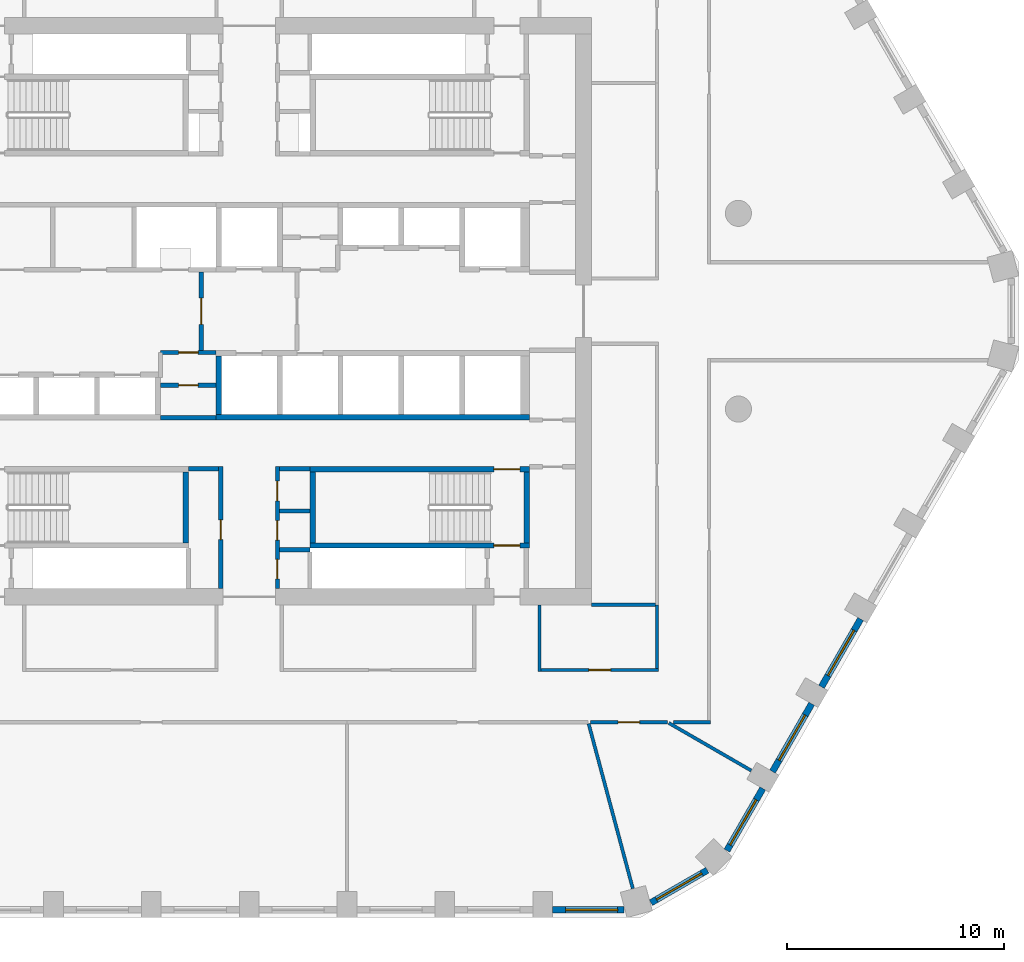
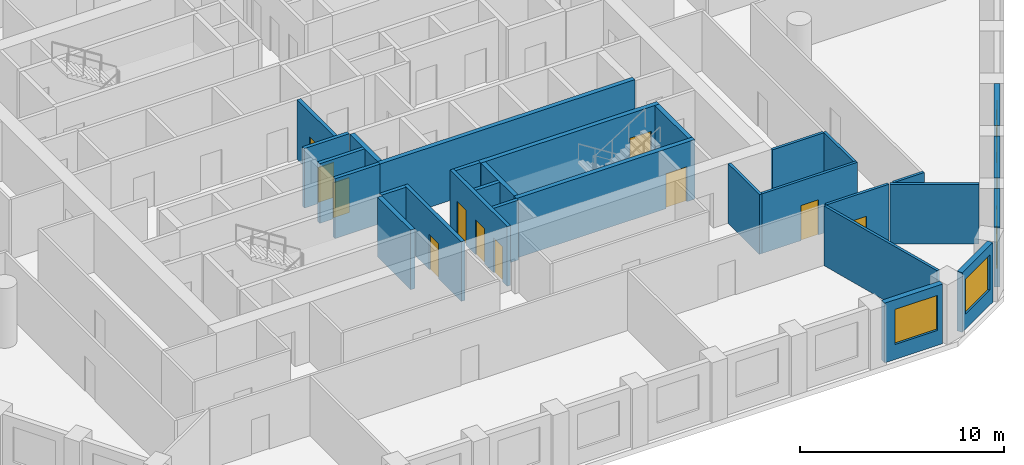
# One storey, part 4 of 10: 30 walls, 11 doors, 5 windows, 16 openings.
"""IFC4 building model written with IfcOpenShell, lengths in metres."""

import ifcopenshell
import ifcopenshell.guid

model = None  # the IFC model being written
_history = None  # IfcOwnerHistory: only IFC2X3 demands one
_inside = {}  # id of a spatial element -> (the spatial element, [elements in it])
_under = {}  # id of a project, library or spatial element -> (it, [spatial elements below it])
_declared = {}  # id of a project -> (the project, [libraries it declares])
_typed = {}  # id of a type object -> (the type object, [elements of that type])
_made_of = {}  # id of a material, layer set ... -> (it, [elements and type objects made of it])


def new_model(schema):
    """Start an empty IFC model of exactly this schema.

    Asked for "IFC4X3", IfcOpenShell would pick the latest addendum, in which some entities
    have other attributes; the version numbers below select the first issue.
    IFC2X3 requires an IfcOwnerHistory on every rooted entity: one is made here for all.
    """
    global model, _history
    if schema == "IFC4X3":
        model = ifcopenshell.file(schema_version=(4, 3, 0, 0))
    else:
        model = ifcopenshell.file(schema=schema)
    _inside.clear()
    _under.clear()
    _declared.clear()
    _typed.clear()
    _made_of.clear()
    _history = None
    if model.schema == "IFC2X3":
        org = make("IfcOrganization", Name="unknown")
        user = make(
            "IfcPersonAndOrganization",
            ThePerson=make("IfcPerson", FamilyName="unknown"),
            TheOrganization=org,
        )
        app = make(
            "IfcApplication",
            ApplicationDeveloper=org,
            Version="unknown",
            ApplicationFullName="unknown",
            ApplicationIdentifier="unknown",
        )
        _history = make(
            "IfcOwnerHistory",
            OwningUser=user,
            OwningApplication=app,
            ChangeAction="ADDED",
            CreationDate=0,
        )
    return model


def make(cls, **values):
    """One entity of the class cls with the attributes given. An attribute that is None is left unset."""
    return model.create_entity(
        cls, **{name: value for name, value in values.items() if value is not None}
    )


def rooted(cls, **values):
    """An entity with a GlobalId (a new one), such as an element, a storey or a relation."""
    return make(cls, GlobalId=ifcopenshell.guid.new(), OwnerHistory=_history, **values)


def si_unit(unit_type, name, prefix=None):
    """IfcSIUnit, for example si_unit("LENGTHUNIT", "METRE", prefix="MILLI")."""
    return make("IfcSIUnit", UnitType=unit_type, Prefix=prefix, Name=name)


def assignment(units):
    """IfcUnitAssignment: the units of a project."""
    return None if units is None else make("IfcUnitAssignment", Units=units)


def point(xyz):
    """IfcCartesianPoint."""
    return None if xyz is None else make("IfcCartesianPoint", Coordinates=xyz)


def direction(xyz):
    """IfcDirection."""
    return None if xyz is None else make("IfcDirection", DirectionRatios=xyz)


def frame(location, z_axis=None, x_axis=None):
    """IfcAxis2Placement3D, a coordinate frame: its origin and axes. An axis left out is left unset."""
    return make(
        "IfcAxis2Placement3D",
        Location=point(location),
        Axis=direction(z_axis),
        RefDirection=direction(x_axis),
    )


def frame_2d(location, x_axis=None):
    """IfcAxis2Placement2D, a coordinate frame in the plane: its origin and x axis."""
    return make(
        "IfcAxis2Placement2D", Location=point(location), RefDirection=direction(x_axis)
    )


def origin():
    """The frame at (0, 0, 0) with its axes left unset."""
    return frame((0.0, 0.0, 0.0))


def place(relative_to, where):
    """IfcLocalPlacement: puts the frame where relative to a parent placement (None: the world)."""
    return make(
        "IfcLocalPlacement", PlacementRelTo=relative_to, RelativePlacement=where
    )


def context(
    kind, dimensions, precision=None, world=None, true_north=None, identifier=None
):
    """IfcGeometricRepresentationContext, for example the 3D "Model" context."""
    return make(
        "IfcGeometricRepresentationContext",
        ContextIdentifier=identifier,
        ContextType=kind,
        CoordinateSpaceDimension=dimensions,
        Precision=precision,
        WorldCoordinateSystem=world,
        TrueNorth=true_north,
    )


def subcontext(parent, identifier, kind, view, scale=None):
    """IfcGeometricRepresentationSubContext, for example "Body" below "Model"."""
    return make(
        "IfcGeometricRepresentationSubContext",
        ContextIdentifier=identifier,
        ContextType=kind,
        ParentContext=parent,
        TargetScale=scale,
        TargetView=view,
    )


def project(units=None, contexts=None):
    """IfcProject with its units and contexts."""
    return rooted(
        "IfcProject",
        Name="project",
        RepresentationContexts=contexts,
        UnitsInContext=assignment(units),
    )


def spatial(cls, under=None, at=None, **own):
    """A site, building, storey or space (cls), placed at a placement, below another one or the project."""
    s = rooted(cls, ObjectPlacement=at, **own)
    if under is not None:
        _under.setdefault(under.id(), (under, []))[1].append(s)
    return s


def polyline(points):
    """IfcPolyline through the points."""
    return make("IfcPolyline", Points=[point(p) for p in points])


def profile(cls, at=None, kind="AREA", **sizes):
    """A parametric profile (cls). Its sizes go by their IFC names, for example OverallWidth=200.0."""
    return make(cls, ProfileType=kind, Position=at, **sizes)


def rectangle(**sizes):
    """IfcRectangleProfileDef."""
    return profile("IfcRectangleProfileDef", **sizes)


def outline(outer, holes=None, kind="AREA"):
    """IfcArbitraryClosedProfileDef: a profile drawn as a closed curve; with holes, ...WithVoids."""
    if holes is None:
        return make("IfcArbitraryClosedProfileDef", ProfileType=kind, OuterCurve=outer)
    return make(
        "IfcArbitraryProfileDefWithVoids",
        ProfileType=kind,
        OuterCurve=outer,
        InnerCurves=holes,
    )


def extrude(swept, where, along, depth):
    """IfcExtrudedAreaSolid: the profile swept, set in the frame where, extruded along a direction by depth."""
    return make(
        "IfcExtrudedAreaSolid",
        SweptArea=swept,
        Position=where,
        ExtrudedDirection=direction(along),
        Depth=depth,
    )


def shape(context_of_items, identifier, shape_type, items):
    """IfcShapeRepresentation: the items that make up one representation, for example the "Body"."""
    return make(
        "IfcShapeRepresentation",
        ContextOfItems=context_of_items,
        RepresentationIdentifier=identifier,
        RepresentationType=shape_type,
        Items=items,
    )


def material(Name=None, Category=None):
    """IfcMaterial."""
    return make("IfcMaterial", Name=Name, Category=Category)


def layer(
    of_material, thickness, ventilated=None, Name=None, Category=None, Priority=None
):
    """IfcMaterialLayer: one layer of a wall or slab, of a material (None: an air gap)."""
    return make(
        "IfcMaterialLayer",
        Material=of_material,
        LayerThickness=thickness,
        IsVentilated=ventilated,
        Name=Name,
        Category=Category,
        Priority=Priority,
    )


def layer_set(layers, Name=None):
    """IfcMaterialLayerSet."""
    return make("IfcMaterialLayerSet", MaterialLayers=layers, LayerSetName=Name)


def made_of(thing, what):
    """Note that an element or type object is made of a material, layer set ...; save() writes the relation."""
    if what is not None:
        _made_of.setdefault(what.id(), (what, []))[1].append(thing)
    return thing


def type_object(cls, material=None, **own):
    """A type object (cls), such as IfcWallType, which elements share."""
    return made_of(rooted(cls, **own), material)


def element(
    cls,
    number,
    at=None,
    inside=None,
    cuts=None,
    type_object=None,
    material=None,
    context=None,
    identifier="Body",
    shape_type=None,
    held_by="IfcProductDefinitionShape",
    body=None,
    shapes=None,
    **own,
):
    """One element of the class cls, such as IfcWall. Its Tag is "e" and its number.

    at: its placement. inside: the storey or other place that contains it. cuts: it is an
    opening in that element (IfcRelVoidsElement). A single representation is given by context,
    identifier, shape_type and body (its items); several are given by shapes. held_by: the class
    of the entity that holds the representations. save() writes the other relations.
    """
    e = rooted(cls, Tag="e%d" % number, ObjectPlacement=at, **own)
    if body is not None:
        shapes = [shape(context, identifier, shape_type, body)]
    if shapes is not None:
        e.Representation = make(held_by, Representations=shapes)
    if inside is not None:
        _inside.setdefault(inside.id(), (inside, []))[1].append(e)
    if cuts is not None:
        rooted(
            "IfcRelVoidsElement", RelatingBuildingElement=cuts, RelatedOpeningElement=e
        )
    if type_object is not None:
        _typed.setdefault(type_object.id(), (type_object, []))[1].append(e)
    return made_of(e, material)


def fill(opening, filler):
    """IfcRelFillsElement: the door or window that sits in an opening."""
    return rooted(
        "IfcRelFillsElement",
        RelatingOpeningElement=opening,
        RelatedBuildingElement=filler,
    )


def aggregate(whole, parts):
    """IfcRelAggregates: a whole, such as a stair, and the parts it consists of."""
    return rooted("IfcRelAggregates", RelatingObject=whole, RelatedObjects=parts)


def save(model, path):
    """Write the relations noted so far, then the file.

    IfcRelAggregates (storeys below a building ...), IfcRelContainedInSpatialStructure (elements
    in a storey), IfcRelDefinesByType, IfcRelAssociatesMaterial and IfcRelDeclares: one each for
    every whole, place, type object, material and project.
    """
    for whole, parts in _under.values():
        aggregate(whole, parts)
    for where, things in _inside.values():
        rooted(
            "IfcRelContainedInSpatialStructure",
            RelatedElements=things,
            RelatingStructure=where,
        )
    for kind, things in _typed.values():
        rooted("IfcRelDefinesByType", RelatedObjects=things, RelatingType=kind)
    for what, things in _made_of.values():
        rooted("IfcRelAssociatesMaterial", RelatedObjects=things, RelatingMaterial=what)
    for by, libraries in _declared.values():
        rooted("IfcRelDeclares", RelatingContext=by, RelatedDefinitions=libraries)
    model.write(path)


model = new_model("IFC4")

# Units and contexts
model_context = context("Model", 3, precision=1e-05, world=origin(), true_north=direction((0.0, 1.0)))
body_context = subcontext(model_context, "Body", "Model", "MODEL_VIEW")
ifc_project = project(units=[si_unit("LENGTHUNIT", "METRE"), si_unit("AREAUNIT", "SQUARE_METRE"), si_unit("VOLUMEUNIT", "CUBIC_METRE"), si_unit("PLANEANGLEUNIT", "RADIAN"), si_unit("MASSUNIT", "GRAM", prefix="KILO")], contexts=[model_context])

# Site, building, storey
site_placement = place(None, origin())
site = spatial("IfcSite", under=ifc_project, at=site_placement, CompositionType="ELEMENT")
building_placement = place(site_placement, origin())
building = spatial("IfcBuilding", under=site, at=building_placement, Name="Dhurran Vertical Campus", CompositionType="ELEMENT")
storey_placement = place(building_placement, frame((0.0, 0.0, 148.199951171875)))
storey = spatial("IfcBuildingStorey", under=building, at=storey_placement, Name="L36", CompositionType="ELEMENT", Elevation=148.199951171875)

# Wall, opening, window
ifc_material_1 = material(Name="Precast concrete C50/60", Category="concrete")
ifc_layer_1 = layer(ifc_material_1, 0.300048828125)
ifc_layer_set_1 = layer_set([ifc_layer_1], Name="Precast concrete C50/60")
wall_type_1 = type_object("IfcWallType", Name="Precast spandrel wall 300", PredefinedType="SOLIDWALL", material=ifc_layer_set_1)
wall_1_placement = place(storey_placement, frame((13.950439453125, -27.53271484375, 0.0), z_axis=(0.0, 0.0, 1.0), x_axis=(1.0, 0.0, 0.0)))
wall_1 = element("IfcWall", 1, at=wall_1_placement, inside=storey, type_object=wall_type_1, Name="EW1 L36.07", PredefinedType="SOLIDWALL", context=body_context, shape_type="SweptSolid", body=[
    extrude(rectangle(XDim=3.294189453125, YDim=0.300048828125, at=frame_2d((1.64697265625, 0.0))), origin(), (0.0, 0.0, 1.0), 3.574951171875),
])
opening_1_placement = place(wall_1_placement, frame((0.599609375, 0.0, 0.89990234375)))
opening_1 = element("IfcOpeningElement", 2, at=opening_1_placement, cuts=wall_1, Name="Opening WT1", PredefinedType="OPENING", context=body_context, shape_type="SweptSolid", body=[
    extrude(rectangle(XDim=2.39990234375, YDim=2.10009765625, at=frame_2d((1.199951171875, 1.050048828125))), frame((0.0, 0.159912109375, 0.0), z_axis=(0.0, -1.0, 0.0), x_axis=(1.0, 0.0, 0.0)), (0.0, 0.0, 1.0), 0.320068359375),
])
ifc_material_2 = material(Name="Aluminium frame with solar-control glass", Category="aluminium")
window_type = type_object("IfcWindowType", Name="Punched window 2400 x 2100", PartitioningType="SINGLE_PANEL", PredefinedType="WINDOW", material=ifc_material_2)
window_1_placement = place(opening_1_placement, origin())
window_1 = element("IfcWindow", 3, at=window_1_placement, inside=storey, type_object=window_type, Name="WT1 L36.07", OverallHeight=2.10009765625, OverallWidth=2.39990234375, PartitioningType="SINGLE_PANEL", PredefinedType="WINDOW", context=body_context, shape_type="SweptSolid", body=[
    extrude(rectangle(XDim=2.39990234375, YDim=2.10009765625, at=frame_2d((1.199951171875, 1.050048828125))), frame((0.0, 0.030029296875, 0.0), z_axis=(0.0, -1.0, 0.0), x_axis=(1.0, 0.0, 0.0)), (0.0, 0.0, 1.0), 0.06005859375),
])
fill(opening_1, window_1)

wall_2_placement = place(storey_placement, frame((18.479248046875, -27.201904296875, 0.0), z_axis=(0.0, 0.0, 1.0), x_axis=(0.866012844897, 0.500021752, 0.0)))
wall_2 = element("IfcWall", 4, at=wall_2_placement, inside=storey, type_object=wall_type_1, Name="EW1 L36.08", PredefinedType="SOLIDWALL", context=body_context, shape_type="SweptSolid", body=[
    extrude(rectangle(XDim=2.989013671875, YDim=0.300048828125, at=frame_2d((1.49462890625, 0.0))), origin(), (0.0, 0.0, 1.0), 3.574951171875),
])
opening_2_placement = place(wall_2_placement, frame((0.294677734375, 0.0, 0.89990234375)))
opening_2 = element("IfcOpeningElement", 5, at=opening_2_placement, cuts=wall_2, Name="Opening WT1", PredefinedType="OPENING", context=body_context, shape_type="SweptSolid", body=[
    extrude(rectangle(XDim=2.39990234375, YDim=2.10009765625, at=frame_2d((1.199951171875, 1.050048828125))), frame((0.0, 0.159912109375, 0.0), z_axis=(0.0, -1.0, 0.0), x_axis=(1.0, 0.0, 0.0)), (0.0, 0.0, 1.0), 0.320068359375),
])
window_2_placement = place(opening_2_placement, origin())
window_2 = element("IfcWindow", 6, at=window_2_placement, inside=storey, type_object=window_type, Name="WT1 L36.08", OverallHeight=2.10009765625, OverallWidth=2.39990234375, PartitioningType="SINGLE_PANEL", PredefinedType="WINDOW", context=body_context, shape_type="SweptSolid", body=[
    extrude(rectangle(XDim=2.39990234375, YDim=2.10009765625, at=frame_2d((1.199951171875, 1.050048828125))), frame((0.0, 0.030029296875, 0.0), z_axis=(0.0, -1.0, 0.0), x_axis=(1.0, 0.0, 0.0)), (0.0, 0.0, 1.0), 0.06005859375),
])
fill(opening_2, window_2)

wall_3_placement = place(storey_placement, frame((21.9716796875, -24.803466796875, 0.0), z_axis=(0.0, 0.0, 1.0), x_axis=(0.500036802197, 0.866004154983, 0.0)))
wall_3 = element("IfcWall", 7, at=wall_3_placement, inside=storey, type_object=wall_type_1, Name="EW1 L36.09", PredefinedType="SOLIDWALL", context=body_context, shape_type="SweptSolid", body=[
    extrude(rectangle(XDim=3.294189453125, YDim=0.300048828125, at=frame_2d((1.64697265625, 0.0))), origin(), (0.0, 0.0, 1.0), 3.574951171875),
])
opening_3_placement = place(wall_3_placement, frame((0.29443359375, 0.0, 0.89990234375)))
opening_3 = element("IfcOpeningElement", 8, at=opening_3_placement, cuts=wall_3, Name="Opening WT1", PredefinedType="OPENING", context=body_context, shape_type="SweptSolid", body=[
    extrude(rectangle(XDim=2.39990234375, YDim=2.10009765625, at=frame_2d((1.199951171875, 1.050048828125))), frame((0.0, 0.159912109375, 0.0), z_axis=(0.0, -1.0, 0.0), x_axis=(1.0, 0.0, 0.0)), (0.0, 0.0, 1.0), 0.320068359375),
])
window_3_placement = place(opening_3_placement, origin())
window_3 = element("IfcWindow", 9, at=window_3_placement, inside=storey, type_object=window_type, Name="WT1 L36.09", OverallHeight=2.10009765625, OverallWidth=2.39990234375, PartitioningType="SINGLE_PANEL", PredefinedType="WINDOW", context=body_context, shape_type="SweptSolid", body=[
    extrude(rectangle(XDim=2.39990234375, YDim=2.10009765625, at=frame_2d((1.199951171875, 1.050048828125))), frame((0.0, 0.030029296875, 0.0), z_axis=(0.0, -1.0, 0.0), x_axis=(1.0, 0.0, 0.0)), (0.0, 0.0, 1.0), 0.06005859375),
])
fill(opening_3, window_3)

wall_4_placement = place(storey_placement, frame((24.0693359375, -21.17041015625, 0.0), z_axis=(0.0, 0.0, 1.0), x_axis=(0.500027802648, 0.866009351323, 0.0)))
wall_4 = element("IfcWall", 10, at=wall_4_placement, inside=storey, type_object=wall_type_1, Name="EW1 L36.10", PredefinedType="SOLIDWALL", context=body_context, shape_type="SweptSolid", body=[
    extrude(rectangle(XDim=3.598876953125, YDim=0.300048828125, at=frame_2d((1.79931640625, 0.0))), origin(), (0.0, 0.0, 1.0), 3.574951171875),
])
opening_4_placement = place(wall_4_placement, frame((0.599609375, 0.0, 0.89990234375)))
opening_4 = element("IfcOpeningElement", 11, at=opening_4_placement, cuts=wall_4, Name="Opening WT1", PredefinedType="OPENING", context=body_context, shape_type="SweptSolid", body=[
    extrude(rectangle(XDim=2.39990234375, YDim=2.10009765625, at=frame_2d((1.199951171875, 1.050048828125))), frame((0.0, 0.159912109375, 0.0), z_axis=(0.0, -1.0, 0.0), x_axis=(1.0, 0.0, 0.0)), (0.0, 0.0, 1.0), 0.320068359375),
])
window_4_placement = place(opening_4_placement, origin())
window_4 = element("IfcWindow", 12, at=window_4_placement, inside=storey, type_object=window_type, Name="WT1 L36.10", OverallHeight=2.10009765625, OverallWidth=2.39990234375, PartitioningType="SINGLE_PANEL", PredefinedType="WINDOW", context=body_context, shape_type="SweptSolid", body=[
    extrude(rectangle(XDim=2.39990234375, YDim=2.10009765625, at=frame_2d((1.199951171875, 1.050048828125))), frame((0.0, 0.030029296875, 0.0), z_axis=(0.0, -1.0, 0.0), x_axis=(1.0, 0.0, 0.0)), (0.0, 0.0, 1.0), 0.06005859375),
])
fill(opening_4, window_4)

wall_5_placement = place(storey_placement, frame((26.3193359375, -17.273193359375, 0.0), z_axis=(0.0, 0.0, 1.0), x_axis=(0.500027802648, 0.866009351323, 0.0)))
wall_5 = element("IfcWall", 13, at=wall_5_placement, inside=storey, type_object=wall_type_1, Name="EW1 L36.11", PredefinedType="SOLIDWALL", context=body_context, shape_type="SweptSolid", body=[
    extrude(rectangle(XDim=3.598876953125, YDim=0.300048828125, at=frame_2d((1.79931640625, 0.0))), origin(), (0.0, 0.0, 1.0), 3.574951171875),
])
opening_5_placement = place(wall_5_placement, frame((0.599609375, 0.0, 0.89990234375)))
opening_5 = element("IfcOpeningElement", 14, at=opening_5_placement, cuts=wall_5, Name="Opening WT1", PredefinedType="OPENING", context=body_context, shape_type="SweptSolid", body=[
    extrude(rectangle(XDim=2.39990234375, YDim=2.10009765625, at=frame_2d((1.199951171875, 1.050048828125))), frame((0.0, 0.159912109375, 0.0), z_axis=(0.0, -1.0, 0.0), x_axis=(1.0, 0.0, 0.0)), (0.0, 0.0, 1.0), 0.320068359375),
])
window_5_placement = place(opening_5_placement, origin())
window_5 = element("IfcWindow", 15, at=window_5_placement, inside=storey, type_object=window_type, Name="WT1 L36.11", OverallHeight=2.10009765625, OverallWidth=2.39990234375, PartitioningType="SINGLE_PANEL", PredefinedType="WINDOW", context=body_context, shape_type="SweptSolid", body=[
    extrude(rectangle(XDim=2.39990234375, YDim=2.10009765625, at=frame_2d((1.199951171875, 1.050048828125))), frame((0.0, 0.030029296875, 0.0), z_axis=(0.0, -1.0, 0.0), x_axis=(1.0, 0.0, 0.0)), (0.0, 0.0, 1.0), 0.06005859375),
])
fill(opening_5, window_5)

# Wall, opening, door
ifc_material_3 = material(Name="Fire-rated masonry blockwork", Category="masonry")
ifc_layer_2 = layer(ifc_material_3, 0.199951171875)
ifc_layer_set_2 = layer_set([ifc_layer_2], Name="Fire-rated masonry blockwork")
wall_type_2 = type_object("IfcWallType", Name="co-FIRE-PARTITION-200", PredefinedType="PARTITIONING", material=ifc_layer_set_2)
wall_6_placement = place(storey_placement, frame((-2.199951171875, -1.800048828125, 0.0), z_axis=(0.0, 0.0, 1.0), x_axis=(0.0, 1.0, 0.0)))
wall_6 = element("IfcWall", 16, at=wall_6_placement, inside=storey, type_object=wall_type_2, Name="Firefighting lobby wall W L36", PredefinedType="PARTITIONING", context=body_context, shape_type="SweptSolid", body=[
    extrude(rectangle(XDim=3.60009765625, YDim=0.199951171875, at=frame_2d((1.800048828125, 0.0))), origin(), (0.0, 0.0, 1.0), 3.574951171875),
])
opening_6_placement = place(wall_6_placement, frame((1.199951171875, 0.0, 0.0)))
opening_6 = element("IfcOpeningElement", 17, at=opening_6_placement, cuts=wall_6, Name="Opening FL1", PredefinedType="OPENING", context=body_context, shape_type="SweptSolid", body=[
    extrude(rectangle(XDim=1.199951171875, YDim=2.10009765625, at=frame_2d((0.60009765625, 1.050048828125))), frame((0.0, 0.10986328125, 0.0), z_axis=(0.0, -1.0, 0.0), x_axis=(1.0, 0.0, 0.0)), (0.0, 0.0, 1.0), 0.219970703125),
])
ifc_material_4 = material(Name="Fire-rated steel door set", Category="steel")
door_type_1 = type_object("IfcDoorType", Name="co-D-FFLOBBY 1200x2100", OperationType="SINGLE_SWING_LEFT", PredefinedType="DOOR", material=ifc_material_4)
door_1_placement = place(opening_6_placement, origin())
door_1 = element("IfcDoor", 18, at=door_1_placement, inside=storey, type_object=door_type_1, Name="Firefighting lobby door W L36", OperationType="SINGLE_SWING_LEFT", OverallHeight=2.10009765625, OverallWidth=1.199951171875, PredefinedType="DOOR", context=body_context, shape_type="SweptSolid", body=[
    extrude(rectangle(XDim=1.199951171875, YDim=2.10009765625, at=frame_2d((0.60009765625, 1.050048828125))), frame((0.0, 0.02490234375, 0.0), z_axis=(0.0, -1.0, 0.0), x_axis=(1.0, 0.0, 0.0)), (0.0, 0.0, 1.0), 0.050048828125),
])
fill(opening_6, door_1)

# Walls
for number, where, z_axis, x_axis, name in (
    (19, (-2.800048828125, -7.25, 0.0), (0.0, 0.0, 1.0), (1.0, 0.0, 0.0), "Core partition sl-SW-S L36"),
    (20, (1.39990234375, -7.25, 0.0), (0.0, 0.0, 1.0), (1.0, 0.0, 0.0), "Core partition sl-SE-S L36"),
    (21, (1.39990234375, -9.18603515625, 0.0), (0.0, 0.0, 1.0), (1.0, 0.0, 0.0), "Core partition sl-SE-cut0 L36"),
    (22, (1.39990234375, -10.968017578125, 0.0), (0.0, 0.0, 1.0), (1.0, 0.0, 0.0), "Core partition sl-SE-cut1 L36"),
):
    element("IfcWall", number, at=place(storey_placement, frame(where, z_axis=z_axis, x_axis=x_axis)), inside=storey, type_object=wall_type_2, Name=name, PredefinedType="PARTITIONING", context=body_context, shape_type="SweptSolid", body=[
        extrude(rectangle(XDim=1.400146484375, YDim=0.199951171875, at=frame_2d((0.7001953125, 0.0))), origin(), (0.0, 0.0, 1.0), 3.574951171875),
    ])

# Wall, opening, door
wall_7_placement = place(storey_placement, frame((-1.300048828125, -12.75, 0.0), z_axis=(0.0, 0.0, 1.0), x_axis=(0.0, 1.0, 0.0)))
wall_7 = element("IfcWall", 23, at=wall_7_placement, inside=storey, type_object=wall_type_2, Name="Core partition vest-SW L36", PredefinedType="PARTITIONING", context=body_context, shape_type="SweptSolid", body=[
    extrude(rectangle(XDim=5.60009765625, YDim=0.199951171875, at=frame_2d((2.800048828125, 0.0))), origin(), (0.0, 0.0, 1.0), 3.574951171875),
])
opening_7_placement = place(wall_7_placement, frame((2.25, 0.0, 0.0)))
opening_7 = element("IfcOpeningElement", 24, at=opening_7_placement, cuts=wall_7, Name="Opening T10-C1", PredefinedType="OPENING", context=body_context, shape_type="SweptSolid", body=[
    extrude(rectangle(XDim=0.89990234375, YDim=2.10009765625, at=frame_2d((0.449951171875, 1.050048828125))), frame((0.0, 0.10986328125, 0.0), z_axis=(0.0, -1.0, 0.0), x_axis=(1.0, 0.0, 0.0)), (0.0, 0.0, 1.0), 0.219970703125),
])
ifc_material_5 = material(Name="Fire-rated timber door set", Category="wood")
door_type_2 = type_object("IfcDoorType", Name="co-D-ROOM 900x2100", OperationType="SINGLE_SWING_LEFT", PredefinedType="DOOR", material=ifc_material_5)
door_2_placement = place(opening_7_placement, origin())
door_2 = element("IfcDoor", 25, at=door_2_placement, inside=storey, type_object=door_type_2, Name="Print room door L36", OperationType="SINGLE_SWING_LEFT", OverallHeight=2.10009765625, OverallWidth=0.89990234375, PredefinedType="DOOR", context=body_context, shape_type="SweptSolid", body=[
    extrude(rectangle(XDim=0.89990234375, YDim=2.10009765625, at=frame_2d((0.449951171875, 1.050048828125))), frame((0.0, 0.02490234375, 0.0), z_axis=(0.0, -1.0, 0.0), x_axis=(1.0, 0.0, 0.0)), (0.0, 0.0, 1.0), 0.050048828125),
])
fill(opening_7, door_2)

# Wall, openings, doors
wall_8_placement = place(storey_placement, frame((1.300048828125, -12.75, 0.0), z_axis=(0.0, 0.0, 1.0), x_axis=(0.0, 1.0, 0.0)))
wall_8 = element("IfcWall", 26, at=wall_8_placement, inside=storey, type_object=wall_type_2, Name="Core partition vest-SE L36", PredefinedType="PARTITIONING", context=body_context, shape_type="SweptSolid", body=[
    extrude(rectangle(XDim=5.60009765625, YDim=0.199951171875, at=frame_2d((2.800048828125, 0.0))), origin(), (0.0, 0.0, 1.0), 3.574951171875),
])
opening_8_placement = place(wall_8_placement, frame((0.44091796875, 0.0, 0.0)))
opening_8 = element("IfcOpeningElement", 27, at=opening_8_placement, cuts=wall_8, Name="Opening T10-C2", PredefinedType="OPENING", context=body_context, shape_type="SweptSolid", body=[
    extrude(rectangle(XDim=0.89990234375, YDim=2.10009765625, at=frame_2d((0.449951171875, 1.050048828125))), frame((0.0, 0.10986328125, 0.0), z_axis=(0.0, -1.0, 0.0), x_axis=(1.0, 0.0, 0.0)), (0.0, 0.0, 1.0), 0.219970703125),
])
opening_9_placement = place(wall_8_placement, frame((2.222900390625, 0.0, 0.0)))
opening_9 = element("IfcOpeningElement", 28, at=opening_9_placement, cuts=wall_8, Name="Opening T10-C3", PredefinedType="OPENING", context=body_context, shape_type="SweptSolid", body=[
    extrude(rectangle(XDim=0.89990234375, YDim=2.10009765625, at=frame_2d((0.449951171875, 1.050048828125))), frame((0.0, 0.10986328125, 0.0), z_axis=(0.0, -1.0, 0.0), x_axis=(1.0, 0.0, 0.0)), (0.0, 0.0, 1.0), 0.219970703125),
])
opening_10_placement = place(wall_8_placement, frame((4.031982421875, 0.0, 0.0)))
opening_10 = element("IfcOpeningElement", 29, at=opening_10_placement, cuts=wall_8, Name="Opening T10-C4", PredefinedType="OPENING", context=body_context, shape_type="SweptSolid", body=[
    extrude(rectangle(XDim=0.89990234375, YDim=2.10009765625, at=frame_2d((0.449951171875, 1.050048828125))), frame((0.0, 0.10986328125, 0.0), z_axis=(0.0, -1.0, 0.0), x_axis=(1.0, 0.0, 0.0)), (0.0, 0.0, 1.0), 0.219970703125),
])
door_3_placement = place(opening_8_placement, origin())
door_3 = element("IfcDoor", 30, at=door_3_placement, inside=storey, type_object=door_type_2, Name="Store door L36", OperationType="SINGLE_SWING_LEFT", OverallHeight=2.10009765625, OverallWidth=0.89990234375, PredefinedType="DOOR", context=body_context, shape_type="SweptSolid", body=[
    extrude(rectangle(XDim=0.89990234375, YDim=2.10009765625, at=frame_2d((0.449951171875, 1.050048828125))), frame((0.0, 0.02490234375, 0.0), z_axis=(0.0, -1.0, 0.0), x_axis=(1.0, 0.0, 0.0)), (0.0, 0.0, 1.0), 0.050048828125),
])
fill(opening_8, door_3)
door_4_placement = place(opening_9_placement, origin())
door_4 = element("IfcDoor", 31, at=door_4_placement, inside=storey, type_object=door_type_2, Name="Housekeeping store door L36", OperationType="SINGLE_SWING_LEFT", OverallHeight=2.10009765625, OverallWidth=0.89990234375, PredefinedType="DOOR", context=body_context, shape_type="SweptSolid", body=[
    extrude(rectangle(XDim=0.89990234375, YDim=2.10009765625, at=frame_2d((0.449951171875, 1.050048828125))), frame((0.0, 0.02490234375, 0.0), z_axis=(0.0, -1.0, 0.0), x_axis=(1.0, 0.0, 0.0)), (0.0, 0.0, 1.0), 0.050048828125),
])
fill(opening_9, door_4)
door_5_placement = place(opening_10_placement, origin())
door_5 = element("IfcDoor", 32, at=door_5_placement, inside=storey, type_object=door_type_2, Name="Plant room door L36", OperationType="SINGLE_SWING_LEFT", OverallHeight=2.10009765625, OverallWidth=0.89990234375, PredefinedType="DOOR", context=body_context, shape_type="SweptSolid", body=[
    extrude(rectangle(XDim=0.89990234375, YDim=2.10009765625, at=frame_2d((0.449951171875, 1.050048828125))), frame((0.0, 0.02490234375, 0.0), z_axis=(0.0, -1.0, 0.0), x_axis=(1.0, 0.0, 0.0)), (0.0, 0.0, 1.0), 0.050048828125),
])
fill(opening_10, door_5)

# Wall, opening, door
wall_9_placement = place(storey_placement, frame((-4.074951171875, -3.39990234375, 0.0), z_axis=(0.0, 0.0, 1.0), x_axis=(1.0, 0.0, 0.0)))
wall_9 = element("IfcWall", 33, at=wall_9_placement, inside=storey, type_object=wall_type_2, Name="Core partition fr-S0-c L36", PredefinedType="PARTITIONING", context=body_context, shape_type="SweptSolid", body=[
    extrude(rectangle(XDim=2.550048828125, YDim=0.199951171875, at=frame_2d((1.27490234375, 0.0))), origin(), (0.0, 0.0, 1.0), 3.574951171875),
])
opening_11_placement = place(wall_9_placement, frame((0.824951171875, 0.0, 0.0)))
opening_11 = element("IfcOpeningElement", 34, at=opening_11_placement, cuts=wall_9, Name="Opening T10-C28", PredefinedType="OPENING", context=body_context, shape_type="SweptSolid", body=[
    extrude(rectangle(XDim=0.89990234375, YDim=2.10009765625, at=frame_2d((0.449951171875, 1.050048828125))), frame((0.0, 0.10986328125, 0.0), z_axis=(0.0, -1.0, 0.0), x_axis=(1.0, 0.0, 0.0)), (0.0, 0.0, 1.0), 0.219970703125),
])
door_6_placement = place(opening_11_placement, origin())
door_6 = element("IfcDoor", 35, at=door_6_placement, inside=storey, type_object=door_type_2, Name="Store door L36", OperationType="SINGLE_SWING_LEFT", OverallHeight=2.10009765625, OverallWidth=0.89990234375, PredefinedType="DOOR", context=body_context, shape_type="SweptSolid", body=[
    extrude(rectangle(XDim=0.89990234375, YDim=2.10009765625, at=frame_2d((0.449951171875, 1.050048828125))), frame((0.0, 0.02490234375, 0.0), z_axis=(0.0, -1.0, 0.0), x_axis=(1.0, 0.0, 0.0)), (0.0, 0.0, 1.0), 0.050048828125),
])
fill(opening_11, door_6)

wall_10_placement = place(storey_placement, frame((-4.074951171875, -1.89990234375, 0.0), z_axis=(0.0, 0.0, 1.0), x_axis=(1.0, 0.0, 0.0)))
wall_10 = element("IfcWall", 36, at=wall_10_placement, inside=storey, type_object=wall_type_2, Name="Core partition fr-S0-f L36", PredefinedType="PARTITIONING", context=body_context, shape_type="SweptSolid", body=[
    extrude(rectangle(XDim=2.550048828125, YDim=0.199951171875, at=frame_2d((1.27490234375, 0.0))), origin(), (0.0, 0.0, 1.0), 3.574951171875),
])
opening_12_placement = place(wall_10_placement, frame((0.824951171875, 0.0, 0.0)))
opening_12 = element("IfcOpeningElement", 37, at=opening_12_placement, cuts=wall_10, Name="Opening T10-C29", PredefinedType="OPENING", context=body_context, shape_type="SweptSolid", body=[
    extrude(rectangle(XDim=0.89990234375, YDim=2.10009765625, at=frame_2d((0.449951171875, 1.050048828125))), frame((0.0, 0.10986328125, 0.0), z_axis=(0.0, -1.0, 0.0), x_axis=(1.0, 0.0, 0.0)), (0.0, 0.0, 1.0), 0.219970703125),
])
door_7_placement = place(opening_12_placement, origin())
door_7 = element("IfcDoor", 38, at=door_7_placement, inside=storey, type_object=door_type_2, Name="Plant room door L36", OperationType="SINGLE_SWING_LEFT", OverallHeight=2.10009765625, OverallWidth=0.89990234375, PredefinedType="DOOR", context=body_context, shape_type="SweptSolid", body=[
    extrude(rectangle(XDim=0.89990234375, YDim=2.10009765625, at=frame_2d((0.449951171875, 1.050048828125))), frame((0.0, 0.02490234375, 0.0), z_axis=(0.0, -1.0, 0.0), x_axis=(1.0, 0.0, 0.0)), (0.0, 0.0, 1.0), 0.050048828125),
])
fill(opening_12, door_7)

# Walls
wall_11_placement = place(storey_placement, frame((-4.074951171875, -4.89990234375, 0.0), z_axis=(0.0, 0.0, 1.0), x_axis=(1.0, 0.0, 0.0)))
element("IfcWall", 39, at=wall_11_placement, inside=storey, type_object=wall_type_2, Name="Core partition fr-S0-b L36", PredefinedType="PARTITIONING", context=body_context, shape_type="SweptSolid", body=[
    extrude(rectangle(XDim=2.550048828125, YDim=0.199951171875, at=frame_2d((1.27490234375, 0.0))), origin(), (0.0, 0.0, 1.0), 3.574951171875),
])
ifc_material_6 = material(Name="Concrete C50/60", Category="concrete")
ifc_layer_3 = layer(ifc_material_6, 0.25)
ifc_layer_set_3 = layer_set([ifc_layer_3], Name="Concrete C50/60")
wall_type_3 = type_object("IfcWallType", Name="co-SHAFT-MASS-250", PredefinedType="SHEAR", material=ifc_layer_set_3)
wall_12_placement = place(storey_placement, origin())
element("IfcWall", 40, at=wall_12_placement, inside=storey, type_object=wall_type_3, Name="Lift shaft wall S L36 2", PredefinedType="SHEAR", context=body_context, shape_type="SweptSolid", body=[
    extrude(outline(polyline([(-1.52490234375, -5.0), (12.89990234375, -5.0), (12.89990234375, -4.75), (-1.52490234375, -4.75), (-1.52490234375, -5.0)])), origin(), (0.0, 0.0, 1.0), 3.574951171875),
])
wall_13_placement = place(storey_placement, origin())
element("IfcWall", 41, at=wall_13_placement, inside=storey, type_object=wall_type_3, Name="Lift shaft wall S L36 7", PredefinedType="SHEAR", context=body_context, shape_type="SweptSolid", body=[
    extrude(outline(polyline([(-1.52490234375, -4.75), (-1.27490234375, -4.75), (-1.27490234375, -2.050048828125), (-1.52490234375, -2.050048828125), (-1.52490234375, -4.75)])), origin(), (0.0, 0.0, 1.0), 3.574951171875),
])
ifc_material_7 = material(Name="Concrete C40/50", Category="concrete")
ifc_layer_4 = layer(ifc_material_7, 0.25)
ifc_layer_set_4 = layer_set([ifc_layer_4], Name="Concrete C40/50")
wall_type_4 = type_object("IfcWallType", Name="co-STAIR-WALL-250", PredefinedType="SHEAR", material=ifc_layer_set_4)
wall_14_placement = place(storey_placement, frame((-2.925048828125, -10.64990234375, 0.0), z_axis=(0.0, 0.0, 1.0), x_axis=(0.0, 1.0, 0.0)))
element("IfcWall", 42, at=wall_14_placement, inside=storey, type_object=wall_type_4, Name="Stair ST3 enclosure wall L36", PredefinedType="SHEAR", context=body_context, shape_type="SweptSolid", body=[
    extrude(rectangle(XDim=3.25, YDim=0.25, at=frame_2d((1.625, 0.0))), origin(), (0.0, 0.0, 1.0), 3.574951171875),
])

# Wall, opening, door
wall_15_placement = place(storey_placement, frame((2.800048828125, -10.77490234375, 0.0), z_axis=(0.0, 0.0, 1.0), x_axis=(1.0, 0.0, 0.0)))
wall_15 = element("IfcWall", 43, at=wall_15_placement, inside=storey, type_object=wall_type_4, Name="Stair ST4 enclosure wall L36", PredefinedType="SHEAR", context=body_context, shape_type="SweptSolid", body=[
    extrude(rectangle(XDim=10.099853515625, YDim=0.25, at=frame_2d((5.0498046875, 0.0))), origin(), (0.0, 0.0, 1.0), 3.574951171875),
])
opening_13_placement = place(wall_15_placement, frame((8.449951171875, 0.0, 0.0)))
opening_13 = element("IfcOpeningElement", 44, at=opening_13_placement, cuts=wall_15, Name="Opening XS4", PredefinedType="OPENING", context=body_context, shape_type="SweptSolid", body=[
    extrude(rectangle(XDim=1.199951171875, YDim=2.10009765625, at=frame_2d((0.60009765625, 1.050048828125))), frame((0.0, 0.135009765625, 0.0), z_axis=(0.0, -1.0, 0.0), x_axis=(1.0, 0.0, 0.0)), (0.0, 0.0, 1.0), 0.27001953125),
])
ifc_material_8 = material(Name="Fire-rated steel door set", Category="steel")
door_type_3 = type_object("IfcDoorType", Name="co-D-STAIR-EXIT 1200x2100", OperationType="SINGLE_SWING_RIGHT", PredefinedType="DOOR", material=ifc_material_8)
door_8_placement = place(opening_13_placement, origin())
door_8 = element("IfcDoor", 45, at=door_8_placement, inside=storey, type_object=door_type_3, Name="Stair ST4 discharge door L36", OperationType="SINGLE_SWING_RIGHT", OverallHeight=2.10009765625, OverallWidth=1.199951171875, PredefinedType="DOOR", context=body_context, shape_type="SweptSolid", body=[
    extrude(rectangle(XDim=1.199951171875, YDim=2.10009765625, at=frame_2d((0.60009765625, 1.050048828125))), frame((0.0, 0.02490234375, 0.0), z_axis=(0.0, -1.0, 0.0), x_axis=(1.0, 0.0, 0.0)), (0.0, 0.0, 1.0), 0.050048828125),
])
fill(opening_13, door_8)

wall_16_placement = place(storey_placement, frame((2.800048828125, -7.27490234375, 0.0), z_axis=(0.0, 0.0, 1.0), x_axis=(1.0, 0.0, 0.0)))
wall_16 = element("IfcWall", 46, at=wall_16_placement, inside=storey, type_object=wall_type_4, Name="Stair ST4 enclosure wall L36", PredefinedType="SHEAR", context=body_context, shape_type="SweptSolid", body=[
    extrude(rectangle(XDim=10.099853515625, YDim=0.25, at=frame_2d((5.0498046875, 0.0))), origin(), (0.0, 0.0, 1.0), 3.574951171875),
])
opening_14_placement = place(wall_16_placement, frame((8.449951171875, 0.0, 0.0)))
opening_14 = element("IfcOpeningElement", 47, at=opening_14_placement, cuts=wall_16, Name="Opening SD4", PredefinedType="OPENING", context=body_context, shape_type="SweptSolid", body=[
    extrude(rectangle(XDim=1.199951171875, YDim=2.10009765625, at=frame_2d((0.60009765625, 1.050048828125))), frame((0.0, 0.135009765625, 0.0), z_axis=(0.0, -1.0, 0.0), x_axis=(1.0, 0.0, 0.0)), (0.0, 0.0, 1.0), 0.27001953125),
])
ifc_material_9 = material(Name="Fire-rated steel door set", Category="steel")
door_type_4 = type_object("IfcDoorType", Name="co-D-STAIR 1200x2100", OperationType="SINGLE_SWING_LEFT", PredefinedType="DOOR", material=ifc_material_9)
door_9_placement = place(opening_14_placement, origin())
door_9 = element("IfcDoor", 48, at=door_9_placement, inside=storey, type_object=door_type_4, Name="Stair ST4 door L36", OperationType="SINGLE_SWING_LEFT", OverallHeight=2.10009765625, OverallWidth=1.199951171875, PredefinedType="DOOR", context=body_context, shape_type="SweptSolid", body=[
    extrude(rectangle(XDim=1.199951171875, YDim=2.10009765625, at=frame_2d((0.60009765625, 1.050048828125))), frame((0.0, 0.02490234375, 0.0), z_axis=(0.0, -1.0, 0.0), x_axis=(1.0, 0.0, 0.0)), (0.0, 0.0, 1.0), 0.050048828125),
])
fill(opening_14, door_9)

# Walls
for number, where, z_axis, x_axis, name in (
    (49, (2.925048828125, -10.64990234375, 0.0), (0.0, 0.0, 1.0), (0.0, 1.0, 0.0), "Stair ST4 enclosure wall L36"),
    (50, (12.77490234375, -10.64990234375, 0.0), (0.0, 0.0, 1.0), (0.0, 1.0, 0.0), "Stair ST4 enclosure wall L36"),
):
    element("IfcWall", number, at=place(storey_placement, frame(where, z_axis=z_axis, x_axis=x_axis)), inside=storey, type_object=wall_type_4, Name=name, PredefinedType="SHEAR", context=body_context, shape_type="SweptSolid", body=[
        extrude(rectangle(XDim=3.25, YDim=0.25, at=frame_2d((1.625, 0.0))), origin(), (0.0, 0.0, 1.0), 3.574951171875),
    ])
ifc_material_10 = material(Name="Gypsum board corridor wall on steel studs", Category="steel")
ifc_layer_5 = layer(ifc_material_10, 0.14990234375)
ifc_layer_set_5 = layer_set([ifc_layer_5], Name="Gypsum board corridor wall on steel studs")
wall_type_5 = type_object("IfcWallType", Name="fl-CW-150 corridor wall", PredefinedType="PARTITIONING", material=ifc_layer_set_5)
wall_17_placement = place(storey_placement, frame((13.35009765625, -16.574951171875, 0.0), z_axis=(0.0, 0.0, 1.0), x_axis=(0.0, 1.0, 0.0)))
element("IfcWall", 51, at=wall_17_placement, inside=storey, type_object=wall_type_5, Name="Partition 36-45", PredefinedType="PARTITIONING", context=body_context, shape_type="SweptSolid", body=[
    extrude(rectangle(XDim=3.074951171875, YDim=0.14990234375, at=frame_2d((1.53759765625, 0.0))), origin(), (0.0, 0.0, 1.0), 3.574951171875),
])

# Wall, opening, door
wall_18_placement = place(storey_placement, frame((18.824951171875, -16.5, 0.0), z_axis=(0.0, 0.0, 1.0), x_axis=(-1.0, 0.0, 0.0)))
wall_18 = element("IfcWall", 52, at=wall_18_placement, inside=storey, type_object=wall_type_5, Name="Partition 36-46", PredefinedType="PARTITIONING", context=body_context, shape_type="SweptSolid", body=[
    extrude(rectangle(XDim=5.39990234375, YDim=0.14990234375, at=frame_2d((2.699951171875, 0.0))), origin(), (0.0, 0.0, 1.0), 3.574951171875),
])
opening_15_placement = place(wall_18_placement, frame((2.199951171875, 0.0, 0.0)))
opening_15 = element("IfcOpeningElement", 53, at=opening_15_placement, cuts=wall_18, Name="Opening T10.18", PredefinedType="OPENING", context=body_context, shape_type="SweptSolid", body=[
    extrude(rectangle(XDim=1.0, YDim=2.10009765625, at=frame_2d((0.5, 1.050048828125))), frame((0.0, 0.0849609375, 0.0), z_axis=(0.0, -1.0, 0.0), x_axis=(1.0, 0.0, 0.0)), (0.0, 0.0, 1.0), 0.169921875),
])
ifc_material_11 = material(Name="Solid-core timber door set, fire-rated", Category="wood")
door_type_5 = type_object("IfcDoorType", Name="fl-D-1000x2100", OperationType="SINGLE_SWING_LEFT", PredefinedType="DOOR", material=ifc_material_11)
door_10_placement = place(opening_15_placement, origin())
door_10 = element("IfcDoor", 54, at=door_10_placement, inside=storey, type_object=door_type_5, Name="Door 36.18", OperationType="SINGLE_SWING_RIGHT", OverallHeight=2.10009765625, OverallWidth=1.0, PredefinedType="DOOR", context=body_context, shape_type="SweptSolid", body=[
    extrude(rectangle(XDim=1.0, YDim=2.10009765625, at=frame_2d((0.5, 1.050048828125))), frame((0.0, 0.02490234375, 0.0), z_axis=(0.0, -1.0, 0.0), x_axis=(1.0, 0.0, 0.0)), (0.0, 0.0, 1.0), 0.050048828125),
])
fill(opening_15, door_10)

wall_19_placement = place(storey_placement, frame((15.68798828125, -18.89990234375, 0.0), z_axis=(0.0, 0.0, 1.0), x_axis=(1.0, 0.0, 0.0)))
wall_19 = element("IfcWall", 55, at=wall_19_placement, inside=storey, type_object=wall_type_5, Name="Partition 36-50", PredefinedType="PARTITIONING", context=body_context, shape_type="SweptSolid", body=[
    extrude(rectangle(XDim=3.548095703125, YDim=0.14990234375, at=frame_2d((1.77392578125, 0.0))), origin(), (0.0, 0.0, 1.0), 3.574951171875),
])
opening_16_placement = place(wall_19_placement, frame((1.27392578125, 0.0, 0.0)))
opening_16 = element("IfcOpeningElement", 56, at=opening_16_placement, cuts=wall_19, Name="Opening T10.22", PredefinedType="OPENING", context=body_context, shape_type="SweptSolid", body=[
    extrude(rectangle(XDim=1.0, YDim=2.10009765625, at=frame_2d((0.5, 1.050048828125))), frame((0.0, 0.0849609375, 0.0), z_axis=(0.0, -1.0, 0.0), x_axis=(1.0, 0.0, 0.0)), (0.0, 0.0, 1.0), 0.169921875),
])
door_11_placement = place(opening_16_placement, origin())
door_11 = element("IfcDoor", 57, at=door_11_placement, inside=storey, type_object=door_type_5, Name="Door 36.22", OperationType="SINGLE_SWING_LEFT", OverallHeight=2.10009765625, OverallWidth=1.0, PredefinedType="DOOR", context=body_context, shape_type="SweptSolid", body=[
    extrude(rectangle(XDim=1.0, YDim=2.10009765625, at=frame_2d((0.5, 1.050048828125))), frame((0.0, 0.02490234375, 0.0), z_axis=(0.0, -1.0, 0.0), x_axis=(1.0, 0.0, 0.0)), (0.0, 0.0, 1.0), 0.050048828125),
])
fill(opening_16, door_11)

# Walls
wall_20_placement = place(storey_placement, frame((18.75, -13.5, 0.0), z_axis=(0.0, 0.0, 1.0), x_axis=(0.0, -1.0, 0.0)))
element("IfcWall", 58, at=wall_20_placement, inside=storey, type_object=wall_type_5, Name="Partition 36-57", PredefinedType="PARTITIONING", context=body_context, shape_type="SweptSolid", body=[
    extrude(rectangle(XDim=2.925048828125, YDim=0.14990234375, at=frame_2d((1.46240234375, 0.0))), origin(), (0.0, 0.0, 1.0), 3.574951171875),
])
wall_21_placement = place(storey_placement, frame((19.510986328125, -18.89990234375, 0.0), z_axis=(0.0, 0.0, 1.0), x_axis=(1.0, 0.0, 0.0)))
element("IfcWall", 59, at=wall_21_placement, inside=storey, type_object=wall_type_5, Name="Partition 36-61", PredefinedType="PARTITIONING", context=body_context, shape_type="SweptSolid", body=[
    extrude(rectangle(XDim=1.714111328125, YDim=0.14990234375, at=frame_2d((0.85693359375, 0.0))), origin(), (0.0, 0.0, 1.0), 3.574951171875),
])
ifc_material_12 = material(Name="Folding acoustic partition panels")
ifc_layer_6 = layer(ifc_material_12, 0.14990234375)
ifc_layer_set_6 = layer_set([ifc_layer_6], Name="Folding acoustic partition panels")
wall_type_6 = type_object("IfcWallType", Name="fl-MW-150 movable partition", PredefinedType="MOVABLE", material=ifc_layer_set_6)
wall_22_placement = place(storey_placement, frame((15.6123046875, -18.972412109375, 0.0), z_axis=(0.0, 0.0, 1.0), x_axis=(0.258869363255, -0.965912342176, 0.0)))
element("IfcWall", 60, at=wall_22_placement, inside=storey, type_object=wall_type_6, Name="Partition 36-49", PredefinedType="MOVABLE", context=body_context, shape_type="SweptSolid", body=[
    extrude(rectangle(XDim=7.84375, YDim=0.14990234375, at=frame_2d((3.921875, 0.0))), origin(), (0.0, 0.0, 1.0), 3.574951171875),
])
ifc_material_13 = material(Name="Gypsum board partition on steel studs", Category="steel")
ifc_layer_7 = layer(ifc_material_13, 0.14990234375)
ifc_layer_set_7 = layer_set([ifc_layer_7], Name="Gypsum board partition on steel studs")
wall_type_7 = type_object("IfcWallType", Name="fl-PW-150 fixed partition", PredefinedType="PARTITIONING", material=ifc_layer_set_7)
wall_23_placement = place(storey_placement, frame((15.75, -13.5, 0.0), z_axis=(0.0, 0.0, 1.0), x_axis=(1.0, 0.0, 0.0)))
element("IfcWall", 61, at=wall_23_placement, inside=storey, type_object=wall_type_7, Name="Partition 36-53", PredefinedType="PARTITIONING", context=body_context, shape_type="SweptSolid", body=[
    extrude(rectangle(XDim=2.925048828125, YDim=0.14990234375, at=frame_2d((1.46240234375, 0.0))), origin(), (0.0, 0.0, 1.0), 3.574951171875),
])
wall_24_placement = place(storey_placement, frame((19.30078125, -18.9375, 0.0), z_axis=(0.0, 0.0, 1.0), x_axis=(0.865968165673, -0.500099126214, 0.0)))
element("IfcWall", 62, at=wall_24_placement, inside=storey, type_object=wall_type_7, Name="Partition 36-62", PredefinedType="PARTITIONING", context=body_context, shape_type="SweptSolid", body=[
    extrude(rectangle(XDim=4.3759765625, YDim=0.14990234375, at=frame_2d((2.18798828125, 0.0))), origin(), (0.0, 0.0, 1.0), 3.574951171875),
])

save(model, "model.ifc")
